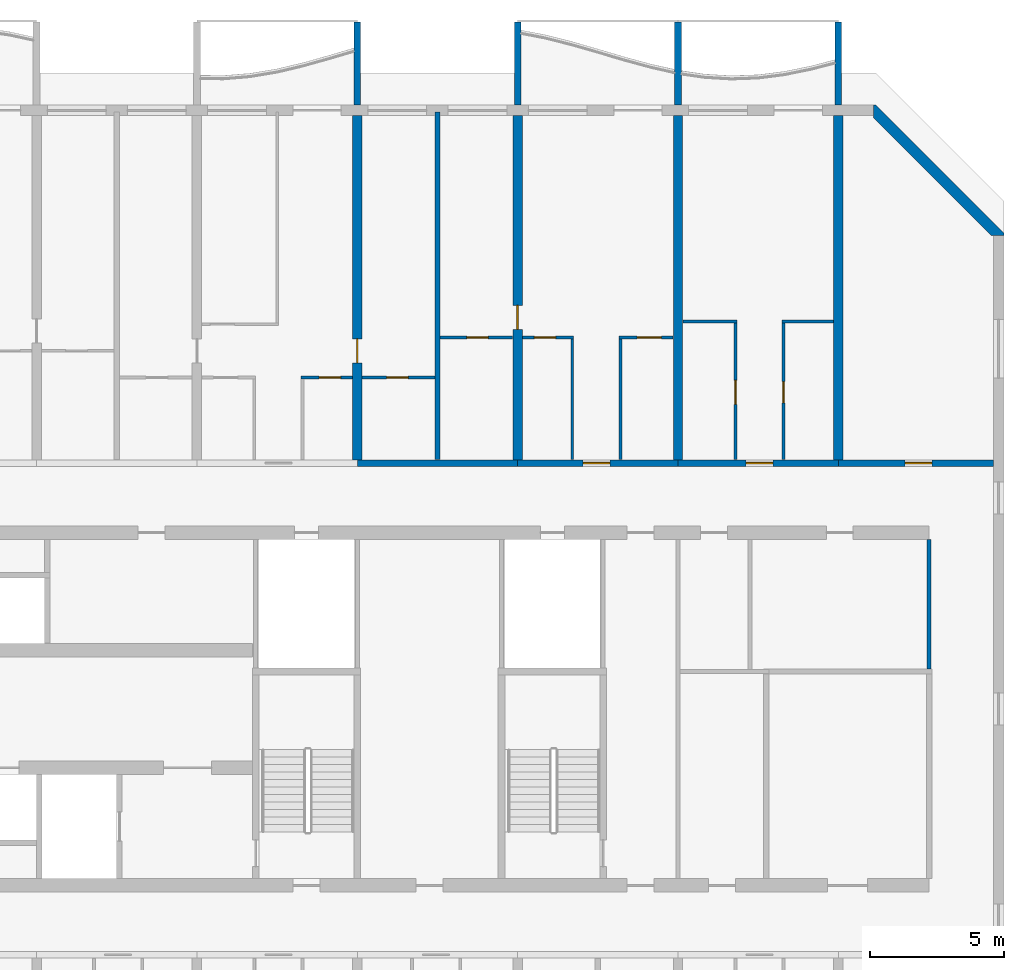
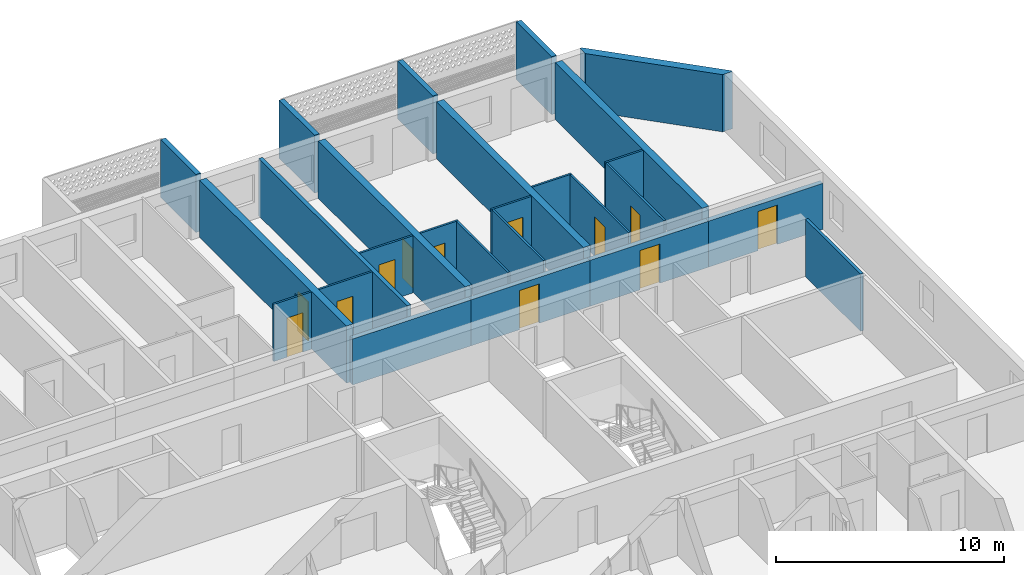
# One storey, part 16 of 28: 26 walls, 12 doors, 12 openings.
"""IFC4 building model written with IfcOpenShell, lengths in metres."""

from ifc_helpers import new_model, si_unit, direction, frame, frame_2d, origin, place, context, subcontext, project, spatial, polyline, rectangle, outline, extrude, source, transform, mapped, material, layer, layer_set, type_object, element, fill, save


model = new_model("IFC4")

# Units and contexts
model_context = context("Model", 3, precision=1e-05, world=origin(), true_north=direction((0.0, 1.0)))
body_context = subcontext(model_context, "Body", "Model", "MODEL_VIEW")
ifc_project = project(units=[si_unit("LENGTHUNIT", "METRE"), si_unit("AREAUNIT", "SQUARE_METRE"), si_unit("VOLUMEUNIT", "CUBIC_METRE"), si_unit("PLANEANGLEUNIT", "RADIAN"), si_unit("MASSUNIT", "GRAM", prefix="KILO")], contexts=[model_context])

# Site, building, storey
site_placement = place(None, origin())
site = spatial("IfcSite", under=ifc_project, at=site_placement, CompositionType="ELEMENT")
building_placement = place(site_placement, origin())
building = spatial("IfcBuilding", under=site, at=building_placement, Name="Poui Terraces", CompositionType="ELEMENT")
storey_placement = place(building_placement, frame((0.0, 0.0, 72.89990234375)))
storey = spatial("IfcBuildingStorey", under=building, at=storey_placement, Name="L19", CompositionType="ELEMENT", Elevation=72.89990234375)

# Walls
ifc_material_1 = material(Name="Fire-rated plasterboard wall")
ifc_layer_1 = layer(ifc_material_1, 0.14990234375)
ifc_layer_set_1 = layer_set([ifc_layer_1], Name="Fire-rated plasterboard wall")
wall_type_1 = type_object("IfcWallType", Name="CORRIDOR WALL 150", PredefinedType="PARTITIONING", material=ifc_layer_set_1)
wall_1_placement = place(storey_placement, frame((93.39990234375, 22.699951171875, 0.0), z_axis=(0.0, 0.0, 1.0), x_axis=(0.0, 1.0, 0.0)))
element("IfcWall", 1, at=wall_1_placement, inside=storey, type_object=wall_type_1, Name="CORRIDOR WALL 150", PredefinedType="PARTITIONING", context=body_context, shape_type="SweptSolid", body=[
    extrude(rectangle(XDim=4.840087890625, YDim=0.14990234375, at=frame_2d((2.419921875, 0.0))), origin(), (0.0, 0.0, 1.0), 3.06005859375),
])
ifc_material_2 = material(Name="Concrete 65 MPa", Category="concrete")
ifc_layer_2 = layer(ifc_material_2, 0.25)
ifc_layer_set_2 = layer_set([ifc_layer_2], Name="Concrete 65 MPa")
wall_type_2 = type_object("IfcWallType", Name="CORRIDOR WALL 250 65MPa", PredefinedType="SHEAR", material=ifc_layer_set_2)
wall_2_placement = place(storey_placement, frame((72.0, 30.39990234375, 0.0), z_axis=(0.0, 0.0, 1.0), x_axis=(1.0, 0.0, 0.0)))
element("IfcWall", 2, at=wall_2_placement, inside=storey, type_object=wall_type_2, Name="CORRIDOR WALL LINE E BAY 12", PredefinedType="SHEAR", context=body_context, shape_type="SweptSolid", body=[
    extrude(rectangle(XDim=6.0, YDim=0.25, at=frame_2d((3.0, 0.0))), origin(), (0.0, 0.0, 1.0), 2.460205078125),
])

# Wall, opening, door
wall_3_placement = place(storey_placement, frame((78.0, 30.39990234375, 0.0), z_axis=(0.0, 0.0, 1.0), x_axis=(1.0, 0.0, 0.0)))
wall_3 = element("IfcWall", 3, at=wall_3_placement, inside=storey, type_object=wall_type_2, Name="CORRIDOR WALL LINE E BAY 13", PredefinedType="SHEAR", context=body_context, shape_type="SweptSolid", body=[
    extrude(rectangle(XDim=6.0, YDim=0.25, at=frame_2d((3.0, 0.0))), origin(), (0.0, 0.0, 1.0), 2.460205078125),
])
opening_1_placement = place(wall_3_placement, frame((2.449951171875, 0.0, 0.0)))
opening_1 = element("IfcOpeningElement", 4, at=opening_1_placement, cuts=wall_3, Name="Opening FD30S", PredefinedType="OPENING", context=body_context, shape_type="SweptSolid", body=[
    extrude(rectangle(XDim=1.0, YDim=2.10009765625, at=frame_2d((0.5, 1.050048828125))), frame((0.0, 0.135009765625, 0.0), z_axis=(0.0, -1.0, 0.0), x_axis=(1.0, 0.0, 0.0)), (0.0, 0.0, 1.0), 0.27001953125),
])
ifc_material_3 = material(Name="Steel fire door", Category="steel")
door_type_1 = type_object("IfcDoorType", Name="FLAT ENTRANCE DOOR 1000 X 2100", OperationType="NOTDEFINED", PredefinedType="DOOR", material=ifc_material_3)
door_1_placement = place(opening_1_placement, origin())
door_1 = element("IfcDoor", 5, at=door_1_placement, inside=storey, type_object=door_type_1, Name="FLAT ENTRANCE DOOR 077", OperationType="SINGLE_SWING_LEFT", OverallHeight=2.10009765625, OverallWidth=1.0, PredefinedType="DOOR", context=body_context, shape_type="SweptSolid", body=[
    extrude(rectangle(XDim=1.0, YDim=2.10009765625, at=frame_2d((0.5, 1.050048828125))), frame((0.0, 0.02490234375, 0.0), z_axis=(0.0, -1.0, 0.0), x_axis=(1.0, 0.0, 0.0)), (0.0, 0.0, 1.0), 0.050048828125),
])
fill(opening_1, door_1)

wall_4_placement = place(storey_placement, frame((84.0, 30.39990234375, 0.0), z_axis=(0.0, 0.0, 1.0), x_axis=(1.0, 0.0, 0.0)))
wall_4 = element("IfcWall", 6, at=wall_4_placement, inside=storey, type_object=wall_type_2, Name="CORRIDOR WALL LINE E BAY 14", PredefinedType="SHEAR", context=body_context, shape_type="SweptSolid", body=[
    extrude(rectangle(XDim=6.0, YDim=0.25, at=frame_2d((3.0, 0.0))), origin(), (0.0, 0.0, 1.0), 2.460205078125),
])
opening_2_placement = place(wall_4_placement, frame((2.550048828125, 0.0, 0.0)))
opening_2 = element("IfcOpeningElement", 7, at=opening_2_placement, cuts=wall_4, Name="Opening FD30S", PredefinedType="OPENING", context=body_context, shape_type="SweptSolid", body=[
    extrude(rectangle(XDim=1.0, YDim=2.10009765625, at=frame_2d((0.5, 1.050048828125))), frame((0.0, 0.135009765625, 0.0), z_axis=(0.0, -1.0, 0.0), x_axis=(1.0, 0.0, 0.0)), (0.0, 0.0, 1.0), 0.27001953125),
])
door_2_placement = place(opening_2_placement, origin())
door_2 = element("IfcDoor", 8, at=door_2_placement, inside=storey, type_object=door_type_1, Name="FLAT ENTRANCE DOOR 080", OperationType="SINGLE_SWING_RIGHT", OverallHeight=2.10009765625, OverallWidth=1.0, PredefinedType="DOOR", context=body_context, shape_type="SweptSolid", body=[
    extrude(rectangle(XDim=1.0, YDim=2.10009765625, at=frame_2d((0.5, 1.050048828125))), frame((0.0, 0.02490234375, 0.0), z_axis=(0.0, -1.0, 0.0), x_axis=(1.0, 0.0, 0.0)), (0.0, 0.0, 1.0), 0.050048828125),
])
fill(opening_2, door_2)

wall_5_placement = place(storey_placement, frame((90.0, 30.39990234375, 0.0), z_axis=(0.0, 0.0, 1.0), x_axis=(1.0, 0.0, 0.0)))
wall_5 = element("IfcWall", 9, at=wall_5_placement, inside=storey, type_object=wall_type_2, Name="CORRIDOR WALL LINE E BAY 15", PredefinedType="SHEAR", context=body_context, shape_type="SweptSolid", body=[
    extrude(rectangle(XDim=5.800048828125, YDim=0.25, at=frame_2d((2.89990234375, 0.0))), origin(), (0.0, 0.0, 1.0), 2.460205078125),
])
opening_3_placement = place(wall_5_placement, frame((2.5, 0.0, 0.0)))
opening_3 = element("IfcOpeningElement", 10, at=opening_3_placement, cuts=wall_5, Name="Opening D100", PredefinedType="OPENING", context=body_context, shape_type="SweptSolid", body=[
    extrude(rectangle(XDim=1.0, YDim=2.10009765625, at=frame_2d((0.5, 1.050048828125))), frame((0.0, 0.135009765625, 0.0), z_axis=(0.0, -1.0, 0.0), x_axis=(1.0, 0.0, 0.0)), (0.0, 0.0, 1.0), 0.27001953125),
])
ifc_material_4 = material(Name="Solid core timber door", Category="wood")
door_type_2 = type_object("IfcDoorType", Name="ACCESSIBLE INTERNAL DOOR 1000 X 2100", OperationType="NOTDEFINED", PredefinedType="DOOR", material=ifc_material_4)
door_3_placement = place(opening_3_placement, origin())
door_3 = element("IfcDoor", 11, at=door_3_placement, inside=storey, type_object=door_type_2, Name="ACCESSIBLE INTERNAL DOOR 082", OperationType="SINGLE_SWING_LEFT", OverallHeight=2.10009765625, OverallWidth=1.0, PredefinedType="DOOR", context=body_context, shape_type="SweptSolid", body=[
    extrude(rectangle(XDim=1.0, YDim=2.10009765625, at=frame_2d((0.5, 1.050048828125))), frame((0.0, 0.02490234375, 0.0), z_axis=(0.0, -1.0, 0.0), x_axis=(1.0, 0.0, 0.0)), (0.0, 0.0, 1.0), 0.050048828125),
])
fill(opening_3, door_3)

ifc_layer_3 = layer(ifc_material_2, 0.35009765625)
ifc_layer_set_3 = layer_set([ifc_layer_3], Name="Concrete 65 MPa")
wall_type_3 = type_object("IfcWallType", Name="CROSS WALL 350 65MPa", PredefinedType="SHEAR", material=ifc_layer_set_3)
wall_6_placement = place(storey_placement, frame((72.0, 30.52490234375, 0.0), z_axis=(0.0, 0.0, 1.0), x_axis=(0.0, 1.0, 0.0)))
wall_6 = element("IfcWall", 12, at=wall_6_placement, inside=storey, type_object=wall_type_3, Name="CROSS WALL LINE 13 NORTH", PredefinedType="SHEAR", context=body_context, shape_type="SweptSolid", body=[
    extrude(rectangle(XDim=12.875, YDim=0.35009765625, at=frame_2d((6.4375, 0.0))), origin(), (0.0, 0.0, 1.0), 3.06005859375),
])
opening_4_placement = place(wall_6_placement, frame((3.625, 0.0, 0.0)))
opening_4 = element("IfcOpeningElement", 13, at=opening_4_placement, cuts=wall_6, Name="Opening D90", PredefinedType="OPENING", context=body_context, shape_type="SweptSolid", body=[
    extrude(rectangle(XDim=0.89990234375, YDim=2.10009765625, at=frame_2d((0.449951171875, 1.050048828125))), frame((0.0, 0.18505859375, 0.0), z_axis=(0.0, -1.0, 0.0), x_axis=(1.0, 0.0, 0.0)), (0.0, 0.0, 1.0), 0.3701171875),
])
door_type_3 = type_object("IfcDoorType", Name="INTERNAL DOOR 900 X 2100", OperationType="NOTDEFINED", PredefinedType="DOOR", material=ifc_material_4)
door_4_placement = place(opening_4_placement, frame((0.89990234375, 0.0, 0.0), z_axis=(0.0, 0.0, 1.0), x_axis=(-1.0, 0.0, 0.0)))
door_4 = element("IfcDoor", 14, at=door_4_placement, inside=storey, type_object=door_type_3, Name="INTERNAL DOOR 073", OperationType="SINGLE_SWING_RIGHT", OverallHeight=2.10009765625, OverallWidth=0.89990234375, PredefinedType="DOOR", context=body_context, shape_type="SweptSolid", body=[
    extrude(rectangle(XDim=0.89990234375, YDim=2.10009765625, at=frame_2d((0.449951171875, 1.050048828125))), frame((0.0, 0.02490234375, 0.0), z_axis=(0.0, -1.0, 0.0), x_axis=(1.0, 0.0, 0.0)), (0.0, 0.0, 1.0), 0.050048828125),
])
fill(opening_4, door_4)

wall_7_placement = place(storey_placement, frame((78.0, 30.52490234375, 0.0), z_axis=(0.0, 0.0, 1.0), x_axis=(0.0, 1.0, 0.0)))
wall_7 = element("IfcWall", 15, at=wall_7_placement, inside=storey, type_object=wall_type_3, Name="CROSS WALL LINE 14 NORTH", PredefinedType="SHEAR", context=body_context, shape_type="SweptSolid", body=[
    extrude(rectangle(XDim=12.875, YDim=0.35009765625, at=frame_2d((6.4375, 0.0))), origin(), (0.0, 0.0, 1.0), 3.06005859375),
])
opening_5_placement = place(wall_7_placement, frame((4.875, 0.0, 0.0)))
opening_5 = element("IfcOpeningElement", 16, at=opening_5_placement, cuts=wall_7, Name="Opening D90", PredefinedType="OPENING", context=body_context, shape_type="SweptSolid", body=[
    extrude(rectangle(XDim=0.89990234375, YDim=2.10009765625, at=frame_2d((0.449951171875, 1.050048828125))), frame((0.0, 0.18505859375, 0.0), z_axis=(0.0, -1.0, 0.0), x_axis=(1.0, 0.0, 0.0)), (0.0, 0.0, 1.0), 0.3701171875),
])
door_5_placement = place(opening_5_placement, origin())
door_5 = element("IfcDoor", 17, at=door_5_placement, inside=storey, type_object=door_type_3, Name="INTERNAL DOOR 075", OperationType="SINGLE_SWING_LEFT", OverallHeight=2.10009765625, OverallWidth=0.89990234375, PredefinedType="DOOR", context=body_context, shape_type="SweptSolid", body=[
    extrude(rectangle(XDim=0.89990234375, YDim=2.10009765625, at=frame_2d((0.449951171875, 1.050048828125))), frame((0.0, 0.02490234375, 0.0), z_axis=(0.0, -1.0, 0.0), x_axis=(1.0, 0.0, 0.0)), (0.0, 0.0, 1.0), 0.050048828125),
])
fill(opening_5, door_5)

# Walls
for number, where, z_axis, x_axis, name in (
    (18, (84.0, 30.52490234375, 0.0), (0.0, 0.0, 1.0), (0.0, 1.0, 0.0), "CROSS WALL LINE 15 NORTH"),
    (19, (90.0, 30.52490234375, 0.0), (0.0, 0.0, 1.0), (0.0, 1.0, 0.0), "CROSS WALL LINE 16 NORTH"),
):
    element("IfcWall", number, at=place(storey_placement, frame(where, z_axis=z_axis, x_axis=x_axis)), inside=storey, type_object=wall_type_3, Name=name, PredefinedType="SHEAR", context=body_context, shape_type="SweptSolid", body=[
        extrude(rectangle(XDim=12.875, YDim=0.35009765625, at=frame_2d((6.4375, 0.0))), origin(), (0.0, 0.0, 1.0), 3.06005859375),
    ])

# Wall, opening, door
ifc_material_5 = material(Name="Plasterboard partition")
ifc_layer_4 = layer(ifc_material_5, 0.10009765625)
ifc_layer_set_4 = layer_set([ifc_layer_4], Name="Plasterboard partition")
wall_type_4 = type_object("IfcWallType", Name="FLAT PARTITION 100", PredefinedType="PARTITIONING", material=ifc_layer_set_4)
wall_8_placement = place(storey_placement, frame((69.89990234375, 33.60009765625, 0.0), z_axis=(0.0, 0.0, 1.0), x_axis=(1.0, 0.0, 0.0)))
wall_8 = element("IfcWall", 20, at=wall_8_placement, inside=storey, type_object=wall_type_4, Name="FLAT PARTITION 100", PredefinedType="PARTITIONING", context=body_context, shape_type="SweptSolid", body=[
    extrude(rectangle(XDim=1.9150390625, YDim=0.10009765625, at=frame_2d((0.95751953125, 0.0))), origin(), (0.0, 0.0, 1.0), 3.06005859375),
])
opening_6_placement = place(wall_8_placement, frame((0.675048828125, 0.0, 0.0)))
opening_6 = element("IfcOpeningElement", 21, at=opening_6_placement, cuts=wall_8, Name="Opening D80", PredefinedType="OPENING", context=body_context, shape_type="SweptSolid", body=[
    extrude(rectangle(XDim=0.800048828125, YDim=2.10009765625, at=frame_2d((0.39990234375, 1.050048828125))), frame((0.0, 0.06005859375, 0.0), z_axis=(0.0, -1.0, 0.0), x_axis=(1.0, 0.0, 0.0)), (0.0, 0.0, 1.0), 0.1201171875),
])
door_type_4 = type_object("IfcDoorType", Name="BATHROOM, LAUNDRY AND STORE DOOR 800 X 2100", OperationType="NOTDEFINED", PredefinedType="DOOR", material=ifc_material_4)
door_6_placement = place(opening_6_placement, frame((0.800048828125, 0.0, 0.0), z_axis=(0.0, 0.0, 1.0), x_axis=(-1.0, 0.0, 0.0)))
door_6 = element("IfcDoor", 22, at=door_6_placement, inside=storey, type_object=door_type_4, Name="BATHROOM, LAUNDRY AND STORE DOOR 072", OperationType="SINGLE_SWING_LEFT", OverallHeight=2.10009765625, OverallWidth=0.800048828125, PredefinedType="DOOR", context=body_context, shape_type="SweptSolid", body=[
    extrude(rectangle(XDim=0.800048828125, YDim=2.10009765625, at=frame_2d((0.39990234375, 1.050048828125))), frame((0.0, 0.02490234375, 0.0), z_axis=(0.0, -1.0, 0.0), x_axis=(1.0, 0.0, 0.0)), (0.0, 0.0, 1.0), 0.050048828125),
])
fill(opening_6, door_6)

wall_9_placement = place(storey_placement, frame((72.18505859375, 33.60009765625, 0.0), z_axis=(0.0, 0.0, 1.0), x_axis=(1.0, 0.0, 0.0)))
wall_9 = element("IfcWall", 23, at=wall_9_placement, inside=storey, type_object=wall_type_4, Name="FLAT PARTITION 100", PredefinedType="PARTITIONING", context=body_context, shape_type="SweptSolid", body=[
    extrude(rectangle(XDim=2.71484375, YDim=0.10009765625, at=frame_2d((1.357421875, 0.0))), origin(), (0.0, 0.0, 1.0), 3.06005859375),
])
opening_7_placement = place(wall_9_placement, frame((0.9150390625, 0.0, 0.0)))
opening_7 = element("IfcOpeningElement", 24, at=opening_7_placement, cuts=wall_9, Name="Opening D80", PredefinedType="OPENING", context=body_context, shape_type="SweptSolid", body=[
    extrude(rectangle(XDim=0.800048828125, YDim=2.10009765625, at=frame_2d((0.39990234375, 1.050048828125))), frame((0.0, 0.06005859375, 0.0), z_axis=(0.0, -1.0, 0.0), x_axis=(1.0, 0.0, 0.0)), (0.0, 0.0, 1.0), 0.1201171875),
])
door_7_placement = place(opening_7_placement, frame((0.800048828125, 0.0, 0.0), z_axis=(0.0, 0.0, 1.0), x_axis=(-1.0, 0.0, 0.0)))
door_7 = element("IfcDoor", 25, at=door_7_placement, inside=storey, type_object=door_type_4, Name="BATHROOM, LAUNDRY AND STORE DOOR 067", OperationType="SINGLE_SWING_RIGHT", OverallHeight=2.10009765625, OverallWidth=0.800048828125, PredefinedType="DOOR", context=body_context, shape_type="SweptSolid", body=[
    extrude(rectangle(XDim=0.800048828125, YDim=2.10009765625, at=frame_2d((0.39990234375, 1.050048828125))), frame((0.0, 0.02490234375, 0.0), z_axis=(0.0, -1.0, 0.0), x_axis=(1.0, 0.0, 0.0)), (0.0, 0.0, 1.0), 0.050048828125),
])
fill(opening_7, door_7)

wall_10_placement = place(storey_placement, frame((75.10009765625, 35.10009765625, 0.0), z_axis=(0.0, 0.0, 1.0), x_axis=(1.0, 0.0, 0.0)))
wall_10 = element("IfcWall", 26, at=wall_10_placement, inside=storey, type_object=wall_type_4, Name="FLAT PARTITION 100", PredefinedType="PARTITIONING", context=body_context, shape_type="SweptSolid", body=[
    extrude(rectangle(XDim=2.71484375, YDim=0.10009765625, at=frame_2d((1.357421875, 0.0))), origin(), (0.0, 0.0, 1.0), 3.06005859375),
])
opening_8_placement = place(wall_10_placement, frame((1.0, 0.0, 0.0)))
opening_8 = element("IfcOpeningElement", 27, at=opening_8_placement, cuts=wall_10, Name="Opening D80", PredefinedType="OPENING", context=body_context, shape_type="SweptSolid", body=[
    extrude(rectangle(XDim=0.800048828125, YDim=2.10009765625, at=frame_2d((0.39990234375, 1.050048828125))), frame((0.0, 0.06005859375, 0.0), z_axis=(0.0, -1.0, 0.0), x_axis=(1.0, 0.0, 0.0)), (0.0, 0.0, 1.0), 0.1201171875),
])
door_8_placement = place(opening_8_placement, frame((0.800048828125, 0.0, 0.0), z_axis=(0.0, 0.0, 1.0), x_axis=(-1.0, 0.0, 0.0)))
door_8 = element("IfcDoor", 28, at=door_8_placement, inside=storey, type_object=door_type_4, Name="BATHROOM, LAUNDRY AND STORE DOOR 074", OperationType="SINGLE_SWING_LEFT", OverallHeight=2.10009765625, OverallWidth=0.800048828125, PredefinedType="DOOR", context=body_context, shape_type="SweptSolid", body=[
    extrude(rectangle(XDim=0.800048828125, YDim=2.10009765625, at=frame_2d((0.39990234375, 1.050048828125))), frame((0.0, 0.02490234375, 0.0), z_axis=(0.0, -1.0, 0.0), x_axis=(1.0, 0.0, 0.0)), (0.0, 0.0, 1.0), 0.050048828125),
])
fill(opening_8, door_8)

wall_11_placement = place(storey_placement, frame((78.18505859375, 35.10009765625, 0.0), z_axis=(0.0, 0.0, 1.0), x_axis=(1.0, 0.0, 0.0)))
wall_11 = element("IfcWall", 29, at=wall_11_placement, inside=storey, type_object=wall_type_4, Name="FLAT PARTITION 100", PredefinedType="PARTITIONING", context=body_context, shape_type="SweptSolid", body=[
    extrude(rectangle(XDim=1.9150390625, YDim=0.10009765625, at=frame_2d((0.95751953125, 0.0))), origin(), (0.0, 0.0, 1.0), 3.06005859375),
])
opening_9_placement = place(wall_11_placement, frame((0.43994140625, 0.0, 0.0)))
opening_9 = element("IfcOpeningElement", 30, at=opening_9_placement, cuts=wall_11, Name="Opening D80", PredefinedType="OPENING", context=body_context, shape_type="SweptSolid", body=[
    extrude(rectangle(XDim=0.800048828125, YDim=2.10009765625, at=frame_2d((0.39990234375, 1.050048828125))), frame((0.0, 0.06005859375, 0.0), z_axis=(0.0, -1.0, 0.0), x_axis=(1.0, 0.0, 0.0)), (0.0, 0.0, 1.0), 0.1201171875),
])
door_9_placement = place(opening_9_placement, frame((0.800048828125, 0.0, 0.0), z_axis=(0.0, 0.0, 1.0), x_axis=(-1.0, 0.0, 0.0)))
door_9 = element("IfcDoor", 31, at=door_9_placement, inside=storey, type_object=door_type_4, Name="BATHROOM, LAUNDRY AND STORE DOOR 076", OperationType="SINGLE_SWING_RIGHT", OverallHeight=2.10009765625, OverallWidth=0.800048828125, PredefinedType="DOOR", context=body_context, shape_type="SweptSolid", body=[
    extrude(rectangle(XDim=0.800048828125, YDim=2.10009765625, at=frame_2d((0.39990234375, 1.050048828125))), frame((0.0, 0.02490234375, 0.0), z_axis=(0.0, -1.0, 0.0), x_axis=(1.0, 0.0, 0.0)), (0.0, 0.0, 1.0), 0.050048828125),
])
fill(opening_9, door_9)

wall_12_placement = place(storey_placement, frame((81.800048828125, 35.10009765625, 0.0), z_axis=(0.0, 0.0, 1.0), x_axis=(1.0, 0.0, 0.0)))
wall_12 = element("IfcWall", 32, at=wall_12_placement, inside=storey, type_object=wall_type_4, Name="FLAT PARTITION 100", PredefinedType="PARTITIONING", context=body_context, shape_type="SweptSolid", body=[
    extrude(rectangle(XDim=2.014892578125, YDim=0.10009765625, at=frame_2d((1.00732421875, 0.0))), origin(), (0.0, 0.0, 1.0), 3.06005859375),
])
opening_10_placement = place(wall_12_placement, frame((0.675048828125, 0.0, 0.0)))
opening_10 = element("IfcOpeningElement", 33, at=opening_10_placement, cuts=wall_12, Name="Opening D90", PredefinedType="OPENING", context=body_context, shape_type="SweptSolid", body=[
    extrude(rectangle(XDim=0.89990234375, YDim=2.10009765625, at=frame_2d((0.449951171875, 1.050048828125))), frame((0.0, 0.06005859375, 0.0), z_axis=(0.0, -1.0, 0.0), x_axis=(1.0, 0.0, 0.0)), (0.0, 0.0, 1.0), 0.1201171875),
])
door_10_placement = place(opening_10_placement, frame((0.89990234375, 0.0, 0.0), z_axis=(0.0, 0.0, 1.0), x_axis=(-1.0, 0.0, 0.0)))
door_10 = element("IfcDoor", 34, at=door_10_placement, inside=storey, type_object=door_type_3, Name="INTERNAL DOOR 078", OperationType="SINGLE_SWING_LEFT", OverallHeight=2.10009765625, OverallWidth=0.89990234375, PredefinedType="DOOR", context=body_context, shape_type="SweptSolid", body=[
    extrude(rectangle(XDim=0.89990234375, YDim=2.10009765625, at=frame_2d((0.449951171875, 1.050048828125))), frame((0.0, 0.02490234375, 0.0), z_axis=(0.0, -1.0, 0.0), x_axis=(1.0, 0.0, 0.0)), (0.0, 0.0, 1.0), 0.050048828125),
])
fill(opening_10, door_10)

# Walls
wall_13_placement = place(storey_placement, frame((84.18505859375, 35.699951171875, 0.0), z_axis=(0.0, 0.0, 1.0), x_axis=(1.0, 0.0, 0.0)))
element("IfcWall", 35, at=wall_13_placement, inside=storey, type_object=wall_type_4, Name="FLAT PARTITION 100", PredefinedType="PARTITIONING", context=body_context, shape_type="SweptSolid", body=[
    extrude(rectangle(XDim=2.014892578125, YDim=0.10009765625, at=frame_2d((1.00732421875, 0.0))), origin(), (0.0, 0.0, 1.0), 3.06005859375),
])
wall_14_placement = place(storey_placement, frame((87.89990234375, 35.699951171875, 0.0), z_axis=(0.0, 0.0, 1.0), x_axis=(1.0, 0.0, 0.0)))
element("IfcWall", 36, at=wall_14_placement, inside=storey, type_object=wall_type_4, Name="FLAT PARTITION 100", PredefinedType="PARTITIONING", context=body_context, shape_type="SweptSolid", body=[
    extrude(rectangle(XDim=1.9150390625, YDim=0.10009765625, at=frame_2d((0.95751953125, 0.0))), origin(), (0.0, 0.0, 1.0), 3.06005859375),
])
for number, where, z_axis, x_axis, name in (
    (37, (80.050048828125, 30.534912109375, 0.0), (0.0, 0.0, 1.0), (0.0, 1.0, 0.0), "FLAT PARTITION 100"),
    (38, (81.85009765625, 30.534912109375, 0.0), (0.0, 0.0, 1.0), (0.0, 1.0, 0.0), "FLAT PARTITION 100"),
):
    element("IfcWall", number, at=place(storey_placement, frame(where, z_axis=z_axis, x_axis=x_axis)), inside=storey, type_object=wall_type_4, Name=name, PredefinedType="PARTITIONING", context=body_context, shape_type="SweptSolid", body=[
        extrude(rectangle(XDim=4.51513671875, YDim=0.10009765625, at=frame_2d((2.257568359375, 0.0))), origin(), (0.0, 0.0, 1.0), 3.06005859375),
    ])

# Wall, opening, door
wall_15_placement = place(storey_placement, frame((86.14990234375, 30.534912109375, 0.0), z_axis=(0.0, 0.0, 1.0), x_axis=(0.0, 1.0, 0.0)))
wall_15 = element("IfcWall", 39, at=wall_15_placement, inside=storey, type_object=wall_type_4, Name="FLAT PARTITION 100", PredefinedType="PARTITIONING", context=body_context, shape_type="SweptSolid", body=[
    extrude(rectangle(XDim=5.114990234375, YDim=0.10009765625, at=frame_2d((2.5576171875, 0.0))), origin(), (0.0, 0.0, 1.0), 3.06005859375),
])
opening_11_placement = place(wall_15_placement, frame((2.06494140625, 0.0, 0.0)))
opening_11 = element("IfcOpeningElement", 40, at=opening_11_placement, cuts=wall_15, Name="Opening D90", PredefinedType="OPENING", context=body_context, shape_type="SweptSolid", body=[
    extrude(rectangle(XDim=0.89990234375, YDim=2.10009765625, at=frame_2d((0.449951171875, 1.050048828125))), frame((0.0, 0.06005859375, 0.0), z_axis=(0.0, -1.0, 0.0), x_axis=(1.0, 0.0, 0.0)), (0.0, 0.0, 1.0), 0.1201171875),
])
door_11_placement = place(opening_11_placement, origin())
door_11 = element("IfcDoor", 41, at=door_11_placement, inside=storey, type_object=door_type_3, Name="INTERNAL DOOR 079", OperationType="SINGLE_SWING_RIGHT", OverallHeight=2.10009765625, OverallWidth=0.89990234375, PredefinedType="DOOR", context=body_context, shape_type="SweptSolid", body=[
    extrude(rectangle(XDim=0.89990234375, YDim=2.10009765625, at=frame_2d((0.449951171875, 1.050048828125))), frame((0.0, 0.02490234375, 0.0), z_axis=(0.0, -1.0, 0.0), x_axis=(1.0, 0.0, 0.0)), (0.0, 0.0, 1.0), 0.050048828125),
])
fill(opening_11, door_11)

wall_16_placement = place(storey_placement, frame((87.949951171875, 30.534912109375, 0.0), z_axis=(0.0, 0.0, 1.0), x_axis=(0.0, 1.0, 0.0)))
wall_16 = element("IfcWall", 42, at=wall_16_placement, inside=storey, type_object=wall_type_4, Name="FLAT PARTITION 100", PredefinedType="PARTITIONING", context=body_context, shape_type="SweptSolid", body=[
    extrude(rectangle(XDim=5.114990234375, YDim=0.10009765625, at=frame_2d((2.5576171875, 0.0))), origin(), (0.0, 0.0, 1.0), 3.06005859375),
])
opening_12_placement = place(wall_16_placement, frame((2.114990234375, 0.0, 0.0)))
opening_12 = element("IfcOpeningElement", 43, at=opening_12_placement, cuts=wall_16, Name="Opening D80", PredefinedType="OPENING", context=body_context, shape_type="SweptSolid", body=[
    extrude(rectangle(XDim=0.800048828125, YDim=2.10009765625, at=frame_2d((0.39990234375, 1.050048828125))), frame((0.0, 0.06005859375, 0.0), z_axis=(0.0, -1.0, 0.0), x_axis=(1.0, 0.0, 0.0)), (0.0, 0.0, 1.0), 0.1201171875),
])
door_12_placement = place(opening_12_placement, frame((0.800048828125, 0.0, 0.0), z_axis=(0.0, 0.0, 1.0), x_axis=(-1.0, 0.0, 0.0)))
door_12 = element("IfcDoor", 44, at=door_12_placement, inside=storey, type_object=door_type_4, Name="BATHROOM, LAUNDRY AND STORE DOOR 081", OperationType="SINGLE_SWING_RIGHT", OverallHeight=2.10009765625, OverallWidth=0.800048828125, PredefinedType="DOOR", context=body_context, shape_type="SweptSolid", body=[
    extrude(rectangle(XDim=0.800048828125, YDim=2.10009765625, at=frame_2d((0.39990234375, 1.050048828125))), frame((0.0, 0.02490234375, 0.0), z_axis=(0.0, -1.0, 0.0), x_axis=(1.0, 0.0, 0.0)), (0.0, 0.0, 1.0), 0.050048828125),
])
fill(opening_12, door_12)

# Walls
ifc_material_6 = material(Name="Fire-rated masonry wall", Category="masonry")
ifc_layer_5 = layer(ifc_material_6, 0.199951171875)
ifc_layer_set_5 = layer_set([ifc_layer_5], Name="Fire-rated masonry wall")
wall_type_5 = type_object("IfcWallType", Name="FLAT PARTY WALL 200", PredefinedType="PARTITIONING", material=ifc_layer_set_5)
wall_17_placement = place(storey_placement, frame((75.0, 30.534912109375, 0.0), z_axis=(0.0, 0.0, 1.0), x_axis=(0.0, 1.0, 0.0)))
element("IfcWall", 45, at=wall_17_placement, inside=storey, type_object=wall_type_5, Name="FLAT PARTY WALL 200", PredefinedType="PARTITIONING", context=body_context, shape_type="SweptSolid", body=[
    extrude(rectangle(XDim=13.005126953125, YDim=0.199951171875, at=frame_2d((6.50244140625, 0.0))), origin(), (0.0, 0.0, 1.0), 3.06005859375),
])
ifc_material_7 = material(Name="Precast concrete 40 MPa", Category="concrete")
ifc_layer_6 = layer(ifc_material_7, 0.39990234375)
ifc_layer_set_6 = layer_set([ifc_layer_6], Name="Precast concrete 40 MPa")
wall_type_6 = type_object("IfcWallType", Name="TERRACOTTA CLAD CHAMFER WALL 400", PredefinedType="STANDARD", material=ifc_layer_set_6)
wall_18_placement = place(storey_placement, origin())
element("IfcWall", 46, at=wall_18_placement, inside=storey, type_object=wall_type_6, Name="CHAMFER WALL CH03", PredefinedType="STANDARD", context=body_context, shape_type="SweptSolid", body=[
    extrude(outline(polyline([(96.199951171875, 38.917236328125), (96.199951171875, 39.0), (91.39990234375, 43.800048828125), (91.317138671875, 43.800048828125), (91.317138671875, 43.317138671875), (95.71728515625, 38.917236328125), (96.199951171875, 38.917236328125)])), origin(), (0.0, 0.0, 1.0), 3.06005859375),
])
ifc_layer_7 = layer(ifc_material_7, 0.25)
ifc_layer_set_7 = layer_set([ifc_layer_7], Name="Precast concrete 40 MPa")
wall_type_7 = type_object("IfcWallType", Name="BALCONY FIN 250", PredefinedType="STANDARD", material=ifc_layer_set_7)
shared_shape = source(origin(), body_context, "Body", "SweptSolid", [
    extrude(outline(polyline([(0.0, 0.0), (0.25, 0.0), (0.25, 3.099853515625), (0.0, 3.099853515625), (0.0, 0.0)])), origin(), (0.0, 0.0, 1.0), 3.10009765625),
])
for number, where, name in (
    (47, (71.875, 43.800048828125, 0.0), "BALCONY FIN"),
    (48, (77.875, 43.800048828125, 0.0), "BALCONY FIN"),
    (49, (83.875, 43.800048828125, 0.0), "BALCONY FIN"),
    (50, (89.875, 43.800048828125, 0.0), "BALCONY FIN"),
):
    element("IfcWall", number, at=place(storey_placement, frame(where)), inside=storey, type_object=wall_type_7, Name=name, PredefinedType="STANDARD", context=body_context, shape_type="MappedRepresentation", body=[
        mapped(shared_shape, transform((0.0, 0.0, 0.0))),
    ])

save(model, "model.ifc")
